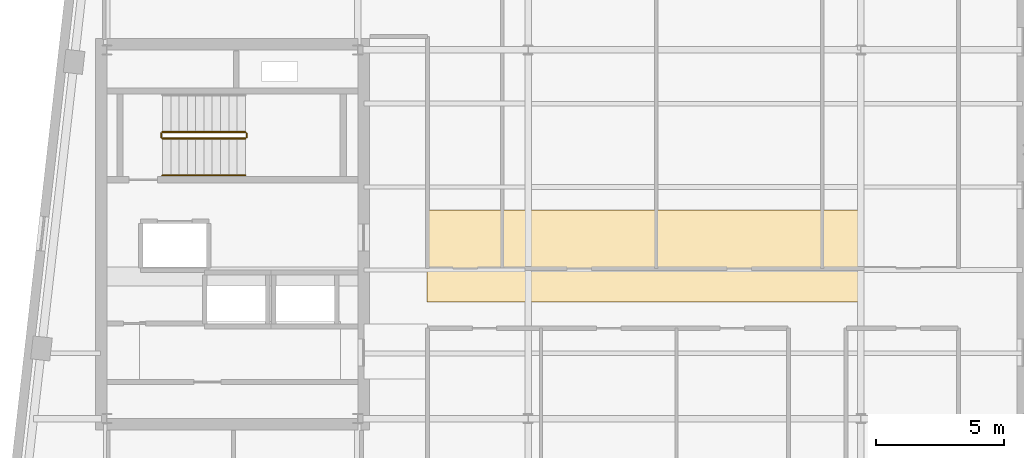
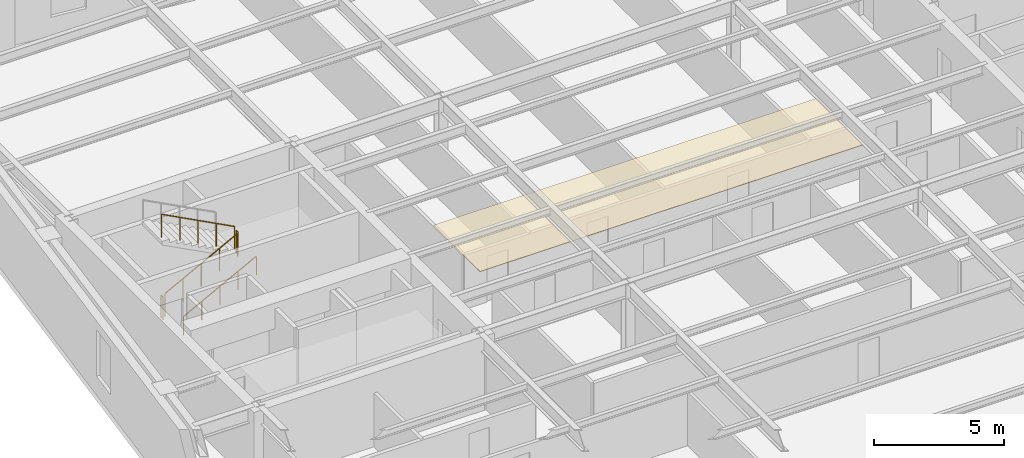
# One storey, part 11 of 13: 5 railings, 1 covering.
"""IFC4 building model written with IfcOpenShell, lengths in metres."""

from ifc_helpers import new_model, si_unit, direction, frame, origin, origin_2d, place, context, subcontext, project, spatial, polyline, circle, outline, extrude, material, layer, layer_set, type_object, element, save


model = new_model("IFC4")

# Units and contexts
model_context = context("Model", 3, precision=1e-05, world=origin(), true_north=direction((0.0, 1.0)))
body_context = subcontext(model_context, "Body", "Model", "MODEL_VIEW")
ifc_project = project(units=[si_unit("LENGTHUNIT", "METRE"), si_unit("AREAUNIT", "SQUARE_METRE"), si_unit("VOLUMEUNIT", "CUBIC_METRE"), si_unit("PLANEANGLEUNIT", "RADIAN"), si_unit("MASSUNIT", "GRAM", prefix="KILO")], contexts=[model_context])

# Site, building, storey
site_placement = place(None, origin())
site = spatial("IfcSite", under=ifc_project, at=site_placement, CompositionType="ELEMENT")
building_placement = place(site_placement, origin())
building = spatial("IfcBuilding", under=site, at=building_placement, Name="Kolvaren Arena Tower", CompositionType="ELEMENT")
storey_placement = place(building_placement, frame((0.0, 0.0, 243.449951171875)))
storey = spatial("IfcBuildingStorey", under=building, at=storey_placement, Name="L59", CompositionType="ELEMENT", Elevation=243.449951171875)

# Covering
ifc_material_1 = material(Name="Mineral fibre acoustic ceiling tile", Category="gypsum")
ifc_layer = layer(ifc_material_1, 0.02490234375)
ifc_layer_set = layer_set([ifc_layer], Name="Mineral fibre acoustic ceiling tile")
covering_type = type_object("IfcCoveringType", Name="CEIL-ACT-1", PredefinedType="CEILING", material=ifc_layer_set)
covering_placement = place(storey_placement, frame((0.0, 0.0, 2.52001953125)))
element("IfcCovering", 1, at=covering_placement, inside=storey, type_object=covering_type, Name="Suspended Ceiling (L59)", PredefinedType="CEILING", context=body_context, shape_type="SweptSolid", body=[
    extrude(outline(polyline([(27.050048828125, 24.0), (27.050048828125, 27.60009765625), (44.10009765625, 27.60009765625), (44.10009765625, 24.0), (27.050048828125, 24.0)])), origin(), (0.0, 0.0, 1.0), 0.025146484375),
])

# Railings
ifc_material_2 = material(Name="Painted galvanized steel", Category="steel")
railing_type_1 = type_object("IfcRailingType", Name="GUARD-ST-110", PredefinedType="GUARDRAIL", material=ifc_material_2)
railing_1_placement = place(storey_placement, frame((16.719970703125, 30.389892578125, 0.17041015625)))
element("IfcRailing", 2, at=railing_1_placement, inside=storey, type_object=railing_type_1, Name="L59 ST-W1 stair guard 1", PredefinedType="GUARDRAIL", context=body_context, shape_type="SweptSolid", body=[
    extrude(circle(Radius=0.02392578125, at=origin_2d()), frame((0.0, 0.0, 1.076171875), z_axis=(0.884993431791, 0.0, 0.465603506952), x_axis=(0.0, 1.0, 0.0)), (0.0, 0.0, 1.0), 3.6611328125),
    extrude(circle(Radius=0.02099609375, at=origin_2d()), origin(), (0.0, 0.0, 1.0), 1.052001953125),
    extrude(circle(Radius=0.02099609375, at=origin_2d()), frame((0.81005859375, 0.0, 0.42626953125)), (0.0, 0.0, 1.0), 1.052001953125),
    extrude(circle(Radius=0.02099609375, at=origin_2d()), frame((1.6201171875, 0.0, 0.852294921875)), (0.0, 0.0, 1.0), 1.052001953125),
    extrude(circle(Radius=0.02099609375, at=origin_2d()), frame((2.429931640625, 0.0, 1.2783203125)), (0.0, 0.0, 1.0), 1.052001953125),
    extrude(circle(Radius=0.02099609375, at=origin_2d()), frame((3.239990234375, 0.0, 1.70458984375)), (0.0, 0.0, 1.0), 1.052001953125),
])
railing_2_placement = place(storey_placement, frame((20.010009765625, 30.43994140625, 1.875)))
element("IfcRailing", 3, at=railing_2_placement, inside=storey, type_object=railing_type_1, Name="L59 ST-W1 stair guard 2", PredefinedType="GUARDRAIL", context=body_context, shape_type="SweptSolid", body=[
    extrude(circle(Radius=0.02392578125, at=origin_2d()), frame((0.0, 0.0, 1.076171875), z_axis=(0.0, 1.0, 0.0), x_axis=(-1.0, 0.0, 0.0)), (0.0, 0.0, 1.0), 0.150146484375),
    extrude(circle(Radius=0.02099609375, at=origin_2d()), origin(), (0.0, 0.0, 1.0), 1.052001953125),
    extrude(circle(Radius=0.02099609375, at=origin_2d()), frame((0.0, 0.150146484375, 0.0)), (0.0, 0.0, 1.0), 1.052001953125),
])
railing_3_placement = place(storey_placement, frame((19.9599609375, 30.639892578125, 2.04541015625)))
element("IfcRailing", 4, at=railing_3_placement, inside=storey, type_object=railing_type_1, Name="L59 ST-W1 stair guard 3", PredefinedType="GUARDRAIL", context=body_context, shape_type="SweptSolid", body=[
    extrude(circle(Radius=0.02392578125, at=origin_2d()), frame((0.0, 0.0, 1.076171875), z_axis=(-0.884993431791, 0.0, 0.465603506952), x_axis=(0.0, -1.0, 0.0)), (0.0, 0.0, 1.0), 3.6611328125),
    extrude(circle(Radius=0.02099609375, at=origin_2d()), origin(), (0.0, 0.0, 1.0), 1.052001953125),
    extrude(circle(Radius=0.02099609375, at=origin_2d()), frame((-0.81005859375, 0.0, 0.42626953125)), (0.0, 0.0, 1.0), 1.052001953125),
    extrude(circle(Radius=0.02099609375, at=origin_2d()), frame((-1.6201171875, 0.0, 0.852294921875)), (0.0, 0.0, 1.0), 1.052001953125),
    extrude(circle(Radius=0.02099609375, at=origin_2d()), frame((-2.429931640625, 0.0, 1.2783203125)), (0.0, 0.0, 1.0), 1.052001953125),
    extrude(circle(Radius=0.02099609375, at=origin_2d()), frame((-3.239990234375, 0.0, 1.70458984375)), (0.0, 0.0, 1.0), 1.052001953125),
])
railing_4_placement = place(storey_placement, frame((16.669921875, 30.43994140625, 0.0)))
element("IfcRailing", 5, at=railing_4_placement, inside=storey, type_object=railing_type_1, Name="L59 ST-W1 stair guard 4", PredefinedType="GUARDRAIL", context=body_context, shape_type="SweptSolid", body=[
    extrude(circle(Radius=0.02392578125, at=origin_2d()), frame((0.0, 0.0, 1.076171875), z_axis=(0.0, 1.0, 0.0), x_axis=(-1.0, 0.0, 0.0)), (0.0, 0.0, 1.0), 0.150146484375),
    extrude(circle(Radius=0.02099609375, at=origin_2d()), origin(), (0.0, 0.0, 1.0), 1.052001953125),
    extrude(circle(Radius=0.02099609375, at=origin_2d()), frame((0.0, 0.150146484375, 0.0)), (0.0, 0.0, 1.0), 1.052001953125),
])
ifc_material_3 = material(Name="Brushed stainless steel handrail", Category="steel")
railing_type_2 = type_object("IfcRailingType", Name="HRAIL-900", PredefinedType="HANDRAIL", material=ifc_material_3)
railing_5_placement = place(storey_placement, frame((16.719970703125, 28.949951171875, 0.17041015625)))
element("IfcRailing", 6, at=railing_5_placement, inside=storey, type_object=railing_type_2, Name="L59 ST-W1 stair handrail 1", PredefinedType="HANDRAIL", context=body_context, shape_type="SweptSolid", body=[
    extrude(circle(Radius=0.02392578125, at=origin_2d()), frame((0.0, 0.0, 0.8759765625), z_axis=(0.884993431791, 0.0, 0.465603506952), x_axis=(0.0, 1.0, 0.0)), (0.0, 0.0, 1.0), 3.6611328125),
    extrude(circle(Radius=0.02099609375, at=origin_2d()), origin(), (0.0, 0.0, 1.0), 0.851806640625),
    extrude(circle(Radius=0.02099609375, at=origin_2d()), frame((0.81005859375, 0.0, 0.42626953125)), (0.0, 0.0, 1.0), 0.851806640625),
    extrude(circle(Radius=0.02099609375, at=origin_2d()), frame((1.6201171875, 0.0, 0.852294921875)), (0.0, 0.0, 1.0), 0.851806640625),
    extrude(circle(Radius=0.02099609375, at=origin_2d()), frame((2.429931640625, 0.0, 1.2783203125)), (0.0, 0.0, 1.0), 0.851806640625),
    extrude(circle(Radius=0.02099609375, at=origin_2d()), frame((3.239990234375, 0.0, 1.70458984375)), (0.0, 0.0, 1.0), 0.851806640625),
])

save(model, "model.ifc")
